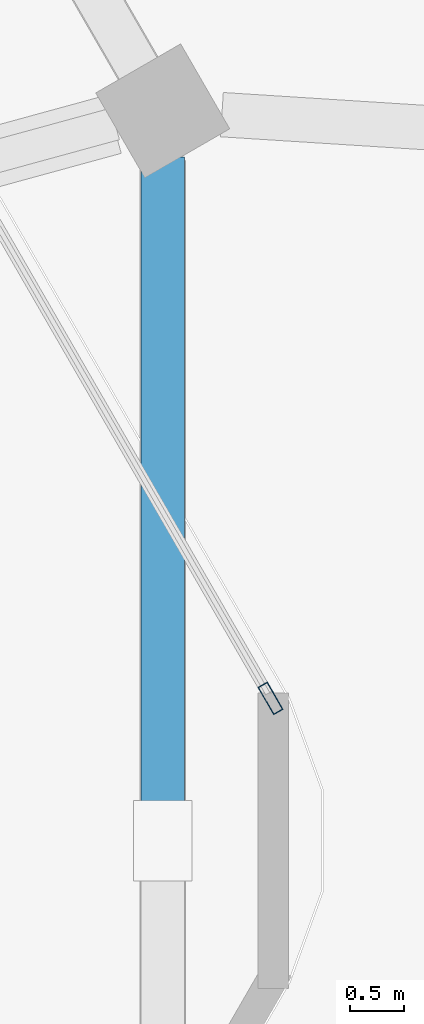
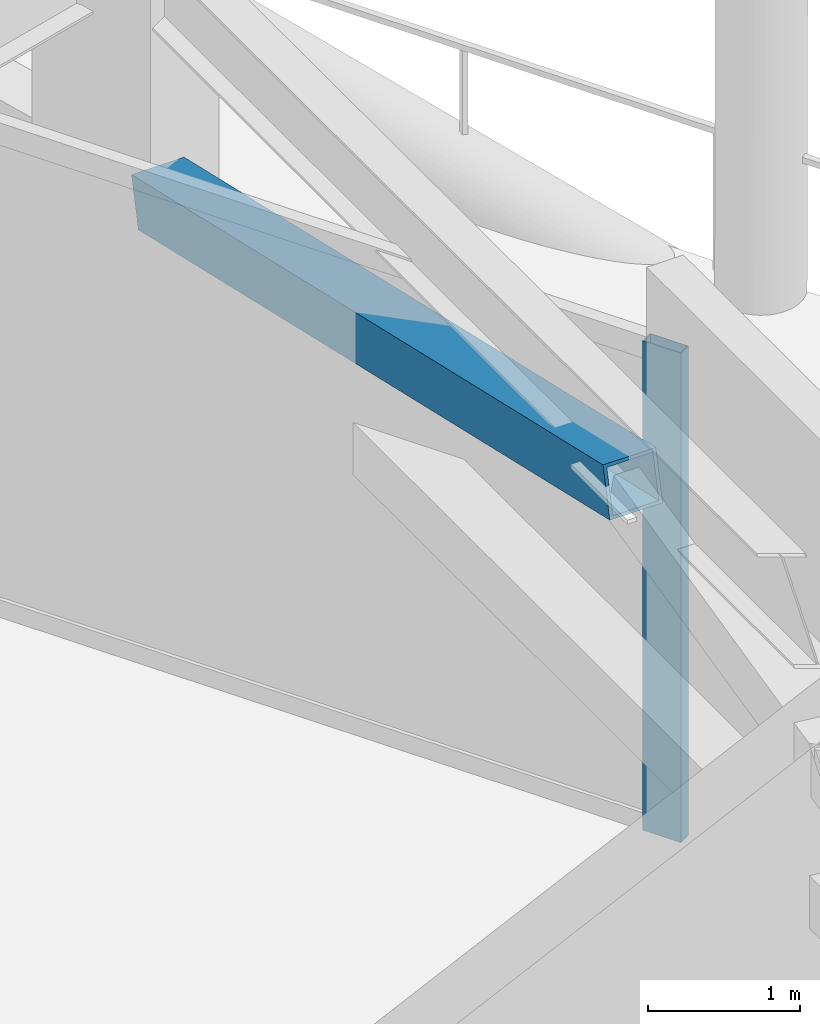
# One storey, part 6 of 20: 2 members, 1 element without a shape of its own.
"""IFC4 building model written with IfcOpenShell, lengths in metres."""

from ifc_helpers import new_model, si_unit, direction, frame, origin, origin_2d, place, context, subcontext, project, spatial, hollow_rectangle, extrude, material, material_profile, profile_set, type_object, element, aggregate, save


model = new_model("IFC4")

# Units and contexts
model_context = context("Model", 3, precision=1e-05, world=origin(), true_north=direction((0.0, 1.0)))
body_context = subcontext(model_context, "Body", "Model", "MODEL_VIEW")
ifc_project = project(units=[si_unit("LENGTHUNIT", "METRE"), si_unit("AREAUNIT", "SQUARE_METRE"), si_unit("VOLUMEUNIT", "CUBIC_METRE"), si_unit("PLANEANGLEUNIT", "RADIAN"), si_unit("MASSUNIT", "GRAM", prefix="KILO")], contexts=[model_context])

# Site, building, storey
site_placement = place(None, origin())
site = spatial("IfcSite", under=ifc_project, at=site_placement, CompositionType="ELEMENT")
building_placement = place(site_placement, origin())
building = spatial("IfcBuilding", under=site, at=building_placement, Name="Zuhravey Tower", CompositionType="ELEMENT")
storey_placement = place(building_placement, frame((0.0, 0.0, 226.39990234375)))
storey = spatial("IfcBuildingStorey", under=building, at=storey_placement, Name="L57", CompositionType="ELEMENT", Elevation=226.39990234375)

# Member
ifc_material_1 = material(Name="Steel SM355", Category="steel")
ifc_material_profile_1 = material_profile(ifc_material_1, hollow_rectangle(XDim=0.39990234375, YDim=0.39990234375, WallThickness=0.02490234375, at=origin_2d()), Name="RHS-400x400x25")
ifc_profile_set_1 = profile_set([ifc_material_profile_1], Name="Steel SM355")
member_type_1 = type_object("IfcMemberType", Name="Belt Truss Diagonal RHS400x400", PredefinedType="BRACE", material=ifc_profile_set_1)
member_1_placement = place(storey_placement, frame((60.484619140625, 38.229248046875, 2.493408203125), z_axis=(0.0, -0.974416390723, 0.224750300312), x_axis=(1.0, 0.0, 0.0)))
element("IfcMember", 1, at=member_1_placement, inside=storey, type_object=member_type_1, Name="L57 Belt Truss Diagonal BTD1-11.2", PredefinedType="BRACE", context=body_context, shape_type="SweptSolid", body=[
    extrude(hollow_rectangle(XDim=0.39990234375, YDim=0.39990234375, WallThickness=0.02490234375, at=origin_2d()), origin(), (0.0, 0.0, 1.0), 6.36767578125),
])

# Curtain wall, member
ifc_material_2 = material(Name="Thermally broken anodised aluminium", Category="aluminium")
curtain_wall_type = type_object("IfcCurtainWallType", Name="Sky-Garden Tray Clerestory Curtain Wall CW5", PredefinedType="NOTDEFINED", material=ifc_material_2)
curtain_wall_placement = place(storey_placement, origin())
curtain_wall = element("IfcCurtainWall", 2, at=curtain_wall_placement, inside=storey, type_object=curtain_wall_type, Name="L57 CW5 CW-L57-F1-2", PredefinedType="NOTDEFINED")
ifc_material_3 = material(Name="Anodised aluminium", Category="aluminium")
ifc_material_profile_2 = material_profile(ifc_material_3, hollow_rectangle(XDim=0.10009765625, YDim=0.2900390625, WallThickness=0.006103515625, at=origin_2d()), Name="ALU-RHS-100x290x6")
ifc_profile_set_2 = profile_set([ifc_material_profile_2], Name="Anodised aluminium")
member_type_2 = type_object("IfcMemberType", Name="Heavy Tall-Storey Mullion 100x220", PredefinedType="MULLION", material=ifc_profile_set_2)
member_2_placement = place(storey_placement, frame((61.473388671875, 33.305908203125, 0.0), z_axis=(0.0, 0.0, 1.0), x_axis=(0.866027779604, 0.499995884937, 0.0)))
member_2 = element("IfcMember", 3, at=member_2_placement, type_object=member_type_2, Name="CW5 mullion 2", PredefinedType="MULLION", context=body_context, shape_type="SweptSolid", body=[
    extrude(hollow_rectangle(XDim=0.10009765625, YDim=0.2900390625, WallThickness=0.006103515625, at=origin_2d()), origin(), (0.0, 0.0, 1.0), 3.93017578125),
])
aggregate(curtain_wall, [member_2])

save(model, "model.ifc")
